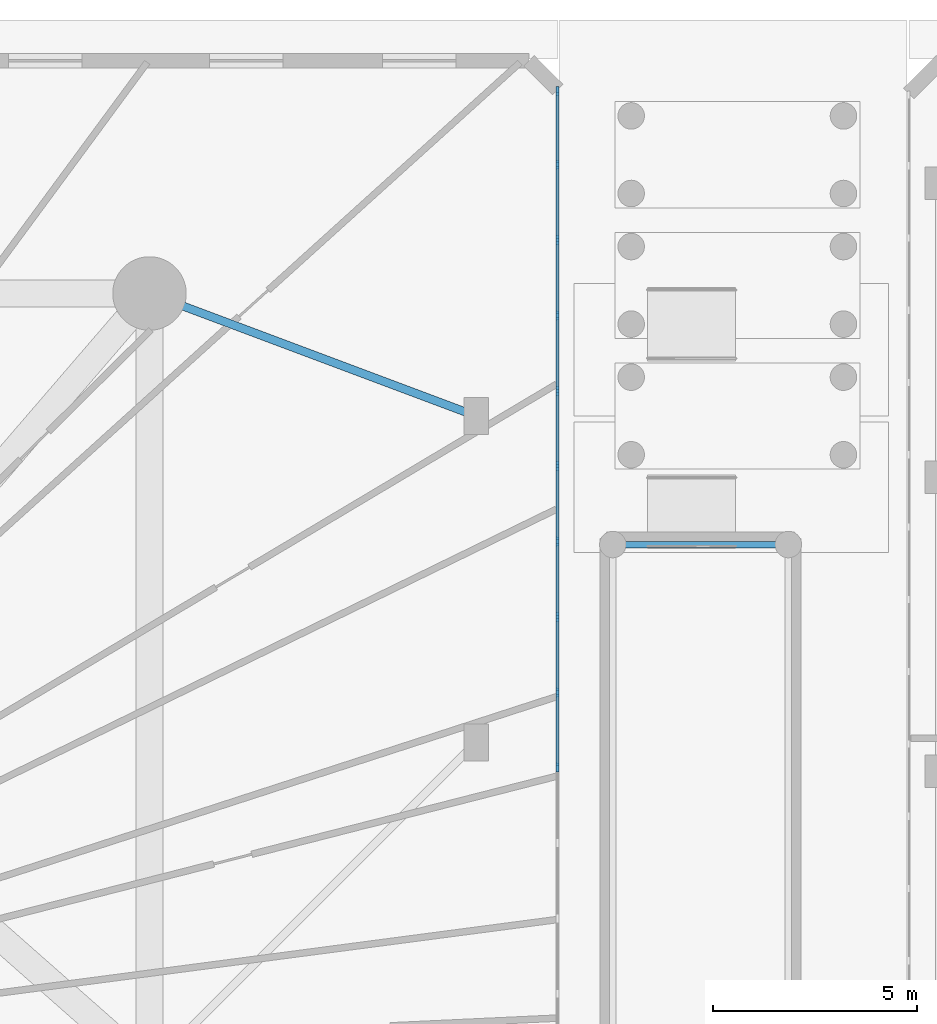
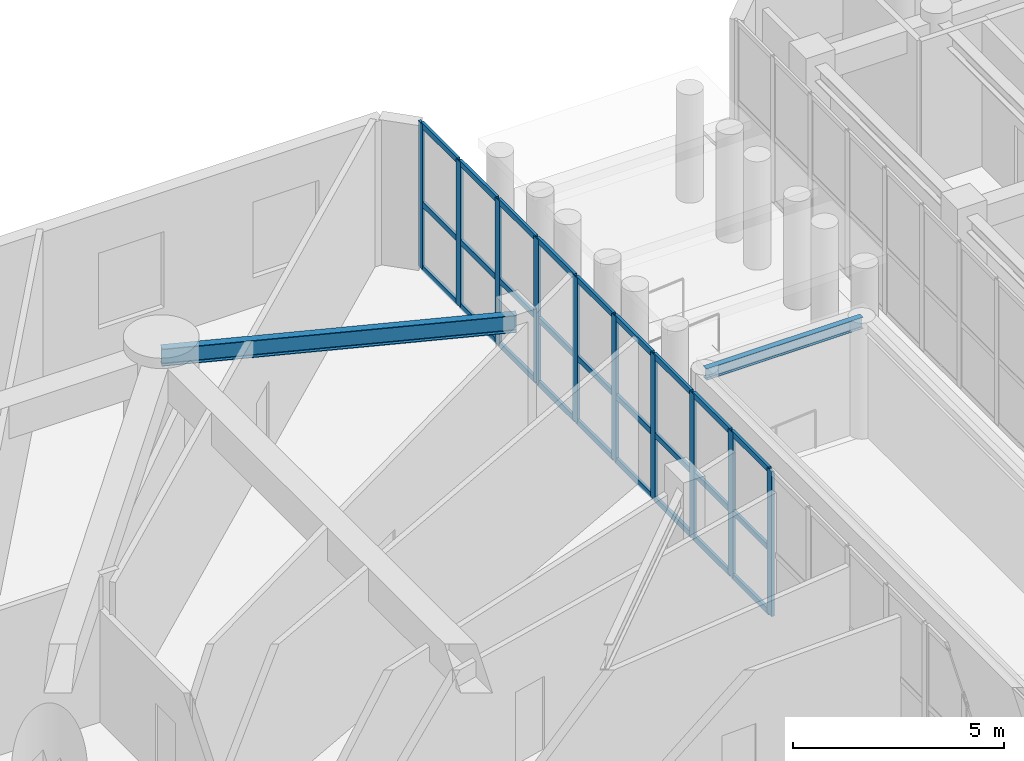
# One storey, part 5 of 30: 37 members, 2 beams, 1 element without a shape of its own.
"""IFC4 building model written with IfcOpenShell, lengths in metres."""

import ifcopenshell
import ifcopenshell.guid

model = None  # the IFC model being written
_history = None  # IfcOwnerHistory: only IFC2X3 demands one
_inside = {}  # id of a spatial element -> (the spatial element, [elements in it])
_under = {}  # id of a project, library or spatial element -> (it, [spatial elements below it])
_declared = {}  # id of a project -> (the project, [libraries it declares])
_typed = {}  # id of a type object -> (the type object, [elements of that type])
_made_of = {}  # id of a material, layer set ... -> (it, [elements and type objects made of it])


def new_model(schema):
    """Start an empty IFC model of exactly this schema.

    Asked for "IFC4X3", IfcOpenShell would pick the latest addendum, in which some entities
    have other attributes; the version numbers below select the first issue.
    IFC2X3 requires an IfcOwnerHistory on every rooted entity: one is made here for all.
    """
    global model, _history
    if schema == "IFC4X3":
        model = ifcopenshell.file(schema_version=(4, 3, 0, 0))
    else:
        model = ifcopenshell.file(schema=schema)
    _inside.clear()
    _under.clear()
    _declared.clear()
    _typed.clear()
    _made_of.clear()
    _history = None
    if model.schema == "IFC2X3":
        org = make("IfcOrganization", Name="unknown")
        user = make(
            "IfcPersonAndOrganization",
            ThePerson=make("IfcPerson", FamilyName="unknown"),
            TheOrganization=org,
        )
        app = make(
            "IfcApplication",
            ApplicationDeveloper=org,
            Version="unknown",
            ApplicationFullName="unknown",
            ApplicationIdentifier="unknown",
        )
        _history = make(
            "IfcOwnerHistory",
            OwningUser=user,
            OwningApplication=app,
            ChangeAction="ADDED",
            CreationDate=0,
        )
    return model


def make(cls, **values):
    """One entity of the class cls with the attributes given. An attribute that is None is left unset."""
    return model.create_entity(
        cls, **{name: value for name, value in values.items() if value is not None}
    )


def rooted(cls, **values):
    """An entity with a GlobalId (a new one), such as an element, a storey or a relation."""
    return make(cls, GlobalId=ifcopenshell.guid.new(), OwnerHistory=_history, **values)


def si_unit(unit_type, name, prefix=None):
    """IfcSIUnit, for example si_unit("LENGTHUNIT", "METRE", prefix="MILLI")."""
    return make("IfcSIUnit", UnitType=unit_type, Prefix=prefix, Name=name)


def assignment(units):
    """IfcUnitAssignment: the units of a project."""
    return None if units is None else make("IfcUnitAssignment", Units=units)


def point(xyz):
    """IfcCartesianPoint."""
    return None if xyz is None else make("IfcCartesianPoint", Coordinates=xyz)


def direction(xyz):
    """IfcDirection."""
    return None if xyz is None else make("IfcDirection", DirectionRatios=xyz)


def frame(location, z_axis=None, x_axis=None):
    """IfcAxis2Placement3D, a coordinate frame: its origin and axes. An axis left out is left unset."""
    return make(
        "IfcAxis2Placement3D",
        Location=point(location),
        Axis=direction(z_axis),
        RefDirection=direction(x_axis),
    )


def frame_2d(location, x_axis=None):
    """IfcAxis2Placement2D, a coordinate frame in the plane: its origin and x axis."""
    return make(
        "IfcAxis2Placement2D", Location=point(location), RefDirection=direction(x_axis)
    )


def origin():
    """The frame at (0, 0, 0) with its axes left unset."""
    return frame((0.0, 0.0, 0.0))


def origin_with_axes():
    """The frame at (0, 0, 0) with the z axis (0, 0, 1) and the x axis (1, 0, 0) written out."""
    return frame((0.0, 0.0, 0.0), z_axis=(0.0, 0.0, 1.0), x_axis=(1.0, 0.0, 0.0))


def origin_2d():
    """The frame at (0, 0) in the plane with its x axis left unset."""
    return frame_2d((0.0, 0.0))


def place(relative_to, where):
    """IfcLocalPlacement: puts the frame where relative to a parent placement (None: the world)."""
    return make(
        "IfcLocalPlacement", PlacementRelTo=relative_to, RelativePlacement=where
    )


def context(
    kind, dimensions, precision=None, world=None, true_north=None, identifier=None
):
    """IfcGeometricRepresentationContext, for example the 3D "Model" context."""
    return make(
        "IfcGeometricRepresentationContext",
        ContextIdentifier=identifier,
        ContextType=kind,
        CoordinateSpaceDimension=dimensions,
        Precision=precision,
        WorldCoordinateSystem=world,
        TrueNorth=true_north,
    )


def subcontext(parent, identifier, kind, view, scale=None):
    """IfcGeometricRepresentationSubContext, for example "Body" below "Model"."""
    return make(
        "IfcGeometricRepresentationSubContext",
        ContextIdentifier=identifier,
        ContextType=kind,
        ParentContext=parent,
        TargetScale=scale,
        TargetView=view,
    )


def project(units=None, contexts=None):
    """IfcProject with its units and contexts."""
    return rooted(
        "IfcProject",
        Name="project",
        RepresentationContexts=contexts,
        UnitsInContext=assignment(units),
    )


def spatial(cls, under=None, at=None, **own):
    """A site, building, storey or space (cls), placed at a placement, below another one or the project."""
    s = rooted(cls, ObjectPlacement=at, **own)
    if under is not None:
        _under.setdefault(under.id(), (under, []))[1].append(s)
    return s


def profile(cls, at=None, kind="AREA", **sizes):
    """A parametric profile (cls). Its sizes go by their IFC names, for example OverallWidth=200.0."""
    return make(cls, ProfileType=kind, Position=at, **sizes)


def rectangle(**sizes):
    """IfcRectangleProfileDef."""
    return profile("IfcRectangleProfileDef", **sizes)


def i_section(**sizes):
    """IfcIShapeProfileDef."""
    return profile("IfcIShapeProfileDef", **sizes)


def extrude(swept, where, along, depth):
    """IfcExtrudedAreaSolid: the profile swept, set in the frame where, extruded along a direction by depth."""
    return make(
        "IfcExtrudedAreaSolid",
        SweptArea=swept,
        Position=where,
        ExtrudedDirection=direction(along),
        Depth=depth,
    )


def shape(context_of_items, identifier, shape_type, items):
    """IfcShapeRepresentation: the items that make up one representation, for example the "Body"."""
    return make(
        "IfcShapeRepresentation",
        ContextOfItems=context_of_items,
        RepresentationIdentifier=identifier,
        RepresentationType=shape_type,
        Items=items,
    )


def source(mapping_origin, context_of_items, identifier, shape_type, items):
    """IfcRepresentationMap: a shape defined once, which mapped items show again and again."""
    return make(
        "IfcRepresentationMap",
        MappingOrigin=mapping_origin,
        MappedRepresentation=shape(context_of_items, identifier, shape_type, items),
    )


def transform(
    local_origin,
    x_axis=None,
    y_axis=None,
    z_axis=None,
    scale=None,
    scale2=None,
    scale3=None,
    uniform=True,
):
    """IfcCartesianTransformationOperator3D, or its non-uniform kind. x_axis, y_axis, z_axis: its Axis1, 2, 3."""
    if uniform:
        return make(
            "IfcCartesianTransformationOperator3D",
            Axis1=direction(x_axis),
            Axis2=direction(y_axis),
            LocalOrigin=point(local_origin),
            Scale=scale,
            Axis3=direction(z_axis),
        )
    return make(
        "IfcCartesianTransformationOperator3DnonUniform",
        Axis1=direction(x_axis),
        Axis2=direction(y_axis),
        LocalOrigin=point(local_origin),
        Scale=scale,
        Axis3=direction(z_axis),
        Scale2=scale2,
        Scale3=scale3,
    )


def mapped(mapping_source, mapping_target):
    """IfcMappedItem: shows the shape of a source again, moved by a transform."""
    return make(
        "IfcMappedItem", MappingSource=mapping_source, MappingTarget=mapping_target
    )


def material(Name=None, Category=None):
    """IfcMaterial."""
    return make("IfcMaterial", Name=Name, Category=Category)


def layer(
    of_material, thickness, ventilated=None, Name=None, Category=None, Priority=None
):
    """IfcMaterialLayer: one layer of a wall or slab, of a material (None: an air gap)."""
    return make(
        "IfcMaterialLayer",
        Material=of_material,
        LayerThickness=thickness,
        IsVentilated=ventilated,
        Name=Name,
        Category=Category,
        Priority=Priority,
    )


def layer_set(layers, Name=None):
    """IfcMaterialLayerSet."""
    return make("IfcMaterialLayerSet", MaterialLayers=layers, LayerSetName=Name)


def material_profile(
    of_material, cross_section, Name=None, Category=None, Priority=None
):
    """IfcMaterialProfile: a cross section and its material."""
    return make(
        "IfcMaterialProfile",
        Name=Name,
        Material=of_material,
        Profile=cross_section,
        Priority=Priority,
        Category=Category,
    )


def profile_set(profiles, Name=None, composite=None):
    """IfcMaterialProfileSet."""
    return make(
        "IfcMaterialProfileSet",
        Name=Name,
        MaterialProfiles=profiles,
        CompositeProfile=composite,
    )


def made_of(thing, what):
    """Note that an element or type object is made of a material, layer set ...; save() writes the relation."""
    if what is not None:
        _made_of.setdefault(what.id(), (what, []))[1].append(thing)
    return thing


def type_object(cls, material=None, **own):
    """A type object (cls), such as IfcWallType, which elements share."""
    return made_of(rooted(cls, **own), material)


def element(
    cls,
    number,
    at=None,
    inside=None,
    cuts=None,
    type_object=None,
    material=None,
    context=None,
    identifier="Body",
    shape_type=None,
    held_by="IfcProductDefinitionShape",
    body=None,
    shapes=None,
    **own,
):
    """One element of the class cls, such as IfcWall. Its Tag is "e" and its number.

    at: its placement. inside: the storey or other place that contains it. cuts: it is an
    opening in that element (IfcRelVoidsElement). A single representation is given by context,
    identifier, shape_type and body (its items); several are given by shapes. held_by: the class
    of the entity that holds the representations. save() writes the other relations.
    """
    e = rooted(cls, Tag="e%d" % number, ObjectPlacement=at, **own)
    if body is not None:
        shapes = [shape(context, identifier, shape_type, body)]
    if shapes is not None:
        e.Representation = make(held_by, Representations=shapes)
    if inside is not None:
        _inside.setdefault(inside.id(), (inside, []))[1].append(e)
    if cuts is not None:
        rooted(
            "IfcRelVoidsElement", RelatingBuildingElement=cuts, RelatedOpeningElement=e
        )
    if type_object is not None:
        _typed.setdefault(type_object.id(), (type_object, []))[1].append(e)
    return made_of(e, material)


def aggregate(whole, parts):
    """IfcRelAggregates: a whole, such as a stair, and the parts it consists of."""
    return rooted("IfcRelAggregates", RelatingObject=whole, RelatedObjects=parts)


def save(model, path):
    """Write the relations noted so far, then the file.

    IfcRelAggregates (storeys below a building ...), IfcRelContainedInSpatialStructure (elements
    in a storey), IfcRelDefinesByType, IfcRelAssociatesMaterial and IfcRelDeclares: one each for
    every whole, place, type object, material and project.
    """
    for whole, parts in _under.values():
        aggregate(whole, parts)
    for where, things in _inside.values():
        rooted(
            "IfcRelContainedInSpatialStructure",
            RelatedElements=things,
            RelatingStructure=where,
        )
    for kind, things in _typed.values():
        rooted("IfcRelDefinesByType", RelatedObjects=things, RelatingType=kind)
    for what, things in _made_of.values():
        rooted("IfcRelAssociatesMaterial", RelatedObjects=things, RelatingMaterial=what)
    for by, libraries in _declared.values():
        rooted("IfcRelDeclares", RelatingContext=by, RelatedDefinitions=libraries)
    model.write(path)


model = new_model("IFC4")

# Units and contexts
model_context = context("Model", 3, precision=1e-05, world=origin(), true_north=direction((0.0, 1.0)))
body_context = subcontext(model_context, "Body", "Model", "MODEL_VIEW")
ifc_project = project(units=[si_unit("LENGTHUNIT", "METRE"), si_unit("AREAUNIT", "SQUARE_METRE"), si_unit("VOLUMEUNIT", "CUBIC_METRE"), si_unit("PLANEANGLEUNIT", "RADIAN"), si_unit("MASSUNIT", "GRAM", prefix="KILO")], contexts=[model_context])

# Site, building, storey
site_placement = place(None, origin())
site = spatial("IfcSite", under=ifc_project, at=site_placement, CompositionType="ELEMENT")
building_placement = place(site_placement, origin())
building = spatial("IfcBuilding", under=site, at=building_placement, Name="Karkom Vertical University and Central Library", CompositionType="ELEMENT")
storey_placement = place(building_placement, origin())
storey = spatial("IfcBuildingStorey", under=building, at=storey_placement, Name="L00", CompositionType="ELEMENT", Elevation=0.0)

# Beams
ifc_material_1 = material(Name="Steel S355", Category="steel")
ifc_material_profile_1 = material_profile(ifc_material_1, i_section(OverallWidth=0.159912109375, OverallDepth=0.330078125, WebThickness=0.007568359375, FlangeThickness=0.011474609375, FilletRadius=0.01806640625, at=origin_2d()), Name="IPE 330")
ifc_profile_set_1 = profile_set([ifc_material_profile_1], Name="Steel S355")
beam_type_1 = type_object("IfcBeamType", Name="STR-BM-SB-IPE330", PredefinedType="BEAM", material=ifc_profile_set_1)
shared_shape_1 = source(origin_with_axes(), body_context, "Body", "SweptSolid", [
    extrude(i_section(OverallWidth=0.159912109375, OverallDepth=0.330078125, WebThickness=0.007568359375, FlangeThickness=0.011474609375, FilletRadius=0.01806640625, at=origin_2d()), origin(), (0.0, 0.0, 1.0), 4.300048828125),
])
beam_1_placement = place(storey_placement, frame((62.449951171875, 39.35009765625, 3.195068359375), z_axis=(-1.0, 0.0, 0.0), x_axis=(0.0, -1.0, 0.0)))
element("IfcBeam", 1, at=beam_1_placement, inside=storey, type_object=beam_type_1, Name="Level 00 Ramp Pavilion Roof Beam 3", PredefinedType="BEAM", context=body_context, shape_type="MappedRepresentation", body=[
    mapped(shared_shape_1, transform((0.0, 0.0, 0.0), scale=1.0)),
])
ifc_material_profile_2 = material_profile(ifc_material_1, i_section(OverallWidth=0.199951171875, OverallDepth=0.5, WebThickness=0.01025390625, FlangeThickness=0.01611328125, FilletRadius=0.02099609375, at=origin_2d()), Name="IPE 500")
ifc_profile_set_2 = profile_set([ifc_material_profile_2], Name="Steel S355")
beam_type_2 = type_object("IfcBeamType", Name="STR-BM-SB-IPE500", PredefinedType="BEAM", material=ifc_profile_set_2)
shared_shape_2 = source(origin_with_axes(), body_context, "Body", "SweptSolid", [
    extrude(i_section(OverallWidth=0.199951171875, OverallDepth=0.5, WebThickness=0.01025390625, FlangeThickness=0.01611328125, FilletRadius=0.02099609375, at=origin_2d()), origin(), (0.0, 0.0, 1.0), 8.5439453125),
])
beam_2_placement = place(storey_placement, frame((46.800048828125, 45.5, 3.949951171875), z_axis=(0.936329177569, -0.351123441588, 0.0), x_axis=(0.351123441588, 0.936329177569, 0.0)))
element("IfcBeam", 2, at=beam_2_placement, inside=storey, type_object=beam_type_2, Name="Level 00 Arcade Tie Beam 4", PredefinedType="BEAM", context=body_context, shape_type="MappedRepresentation", body=[
    mapped(shared_shape_2, transform((0.0, 0.0, 0.0), scale=1.0)),
])

# Curtain wall, members
ifc_material_2 = material(Name="Aluminium curtain-wall framing and low-E IGU", Category="aluminium")
ifc_layer = layer(ifc_material_2, 0.199951171875)
ifc_layer_set = layer_set([ifc_layer], Name="Aluminium curtain-wall framing and low-E IGU")
curtain_wall_type = type_object("IfcCurtainWallType", Name="ENV-CW-3", PredefinedType="USERDEFINED", material=ifc_layer_set)
curtain_wall_placement = place(storey_placement, origin())
curtain_wall = element("IfcCurtainWall", 3, at=curtain_wall_placement, inside=storey, type_object=curtain_wall_type, Name="Level 00 CW-3 Curtain Wall L00-CW3-3-2", ObjectType="STICK MULLION GLAZING", PredefinedType="USERDEFINED")
ifc_material_3 = material(Name="Anodised Aluminium 6063-T6", Category="aluminium")
ifc_material_profile_3 = material_profile(ifc_material_3, rectangle(XDim=0.074951171875, YDim=0.219970703125, at=origin_2d()), Name="ALU-M75x220")
ifc_profile_set_3 = profile_set([ifc_material_profile_3], Name="Anodised Aluminium 6063-T6")
member_type_1 = type_object("IfcMemberType", Name="ENV-MEM-ALU-M75x220", PredefinedType="MULLION", material=ifc_profile_set_3)
shared_shape_3 = source(origin_with_axes(), body_context, "Body", "SweptSolid", [
    extrude(rectangle(XDim=0.074951171875, YDim=0.219970703125, at=origin_2d()), origin(), (0.0, 0.0, 1.0), 4.199951171875),
])
member_1_placement = place(storey_placement, frame((56.800048828125, 33.884521484375, 0.0), z_axis=(0.0, 0.0, 1.0), x_axis=(-1.0, 0.0, 0.0)))
member_1 = element("IfcMember", 4, at=member_1_placement, type_object=member_type_1, Name="CW-3 mullion 5", PredefinedType="MULLION", context=body_context, shape_type="MappedRepresentation", body=[
    mapped(shared_shape_3, transform((0.0, 0.0, 0.0), scale=1.0)),
])
member_2_placement = place(storey_placement, frame((56.800048828125, 35.730712890625, 0.0), z_axis=(0.0, 0.0, 1.0), x_axis=(-1.0, 0.0, 0.0)))
member_2 = element("IfcMember", 5, at=member_2_placement, type_object=member_type_1, Name="CW-3 mullion 6", PredefinedType="MULLION", context=body_context, shape_type="MappedRepresentation", body=[
    mapped(shared_shape_3, transform((0.0, 0.0, 0.0), scale=1.0)),
])
member_3_placement = place(storey_placement, frame((56.800048828125, 37.576904296875, 0.0), z_axis=(0.0, 0.0, 1.0), x_axis=(-1.0, 0.0, 0.0)))
member_3 = element("IfcMember", 6, at=member_3_placement, type_object=member_type_1, Name="CW-3 mullion 7", PredefinedType="MULLION", context=body_context, shape_type="MappedRepresentation", body=[
    mapped(shared_shape_3, transform((0.0, 0.0, 0.0), scale=1.0)),
])
member_4_placement = place(storey_placement, frame((56.800048828125, 39.423095703125, 0.0), z_axis=(0.0, 0.0, 1.0), x_axis=(-1.0, 0.0, 0.0)))
member_4 = element("IfcMember", 7, at=member_4_placement, type_object=member_type_1, Name="CW-3 mullion 8", PredefinedType="MULLION", context=body_context, shape_type="MappedRepresentation", body=[
    mapped(shared_shape_3, transform((0.0, 0.0, 0.0), scale=1.0)),
])
member_5_placement = place(storey_placement, frame((56.800048828125, 41.269287109375, 0.0), z_axis=(0.0, 0.0, 1.0), x_axis=(-1.0, 0.0, 0.0)))
member_5 = element("IfcMember", 8, at=member_5_placement, type_object=member_type_1, Name="CW-3 mullion 9", PredefinedType="MULLION", context=body_context, shape_type="MappedRepresentation", body=[
    mapped(shared_shape_3, transform((0.0, 0.0, 0.0), scale=1.0)),
])
member_6_placement = place(storey_placement, frame((56.800048828125, 43.115478515625, 0.0), z_axis=(0.0, 0.0, 1.0), x_axis=(-1.0, 0.0, 0.0)))
member_6 = element("IfcMember", 9, at=member_6_placement, type_object=member_type_1, Name="CW-3 mullion 10", PredefinedType="MULLION", context=body_context, shape_type="MappedRepresentation", body=[
    mapped(shared_shape_3, transform((0.0, 0.0, 0.0), scale=1.0)),
])
member_7_placement = place(storey_placement, frame((56.800048828125, 44.96142578125, 0.0), z_axis=(0.0, 0.0, 1.0), x_axis=(-1.0, 0.0, 0.0)))
member_7 = element("IfcMember", 10, at=member_7_placement, type_object=member_type_1, Name="CW-3 mullion 11", PredefinedType="MULLION", context=body_context, shape_type="MappedRepresentation", body=[
    mapped(shared_shape_3, transform((0.0, 0.0, 0.0), scale=1.0)),
])
member_8_placement = place(storey_placement, frame((56.800048828125, 46.8076171875, 0.0), z_axis=(0.0, 0.0, 1.0), x_axis=(-1.0, 0.0, 0.0)))
member_8 = element("IfcMember", 11, at=member_8_placement, type_object=member_type_1, Name="CW-3 mullion 12", PredefinedType="MULLION", context=body_context, shape_type="MappedRepresentation", body=[
    mapped(shared_shape_3, transform((0.0, 0.0, 0.0), scale=1.0)),
])
member_9_placement = place(storey_placement, frame((56.800048828125, 48.65380859375, 0.0), z_axis=(0.0, 0.0, 1.0), x_axis=(-1.0, 0.0, 0.0)))
member_9 = element("IfcMember", 12, at=member_9_placement, type_object=member_type_1, Name="CW-3 mullion 13", PredefinedType="MULLION", context=body_context, shape_type="MappedRepresentation", body=[
    mapped(shared_shape_3, transform((0.0, 0.0, 0.0), scale=1.0)),
])
member_10_placement = place(storey_placement, frame((56.800048828125, 50.46240234375, 0.0), z_axis=(0.0, 0.0, 1.0), x_axis=(-1.0, 0.0, 0.0)))
member_10 = element("IfcMember", 13, at=member_10_placement, type_object=member_type_1, Name="CW-3 mullion 14", PredefinedType="MULLION", context=body_context, shape_type="MappedRepresentation", body=[
    mapped(shared_shape_3, transform((0.0, 0.0, 0.0), scale=1.0)),
])
ifc_material_profile_4 = material_profile(ifc_material_3, rectangle(XDim=0.074951171875, YDim=0.1650390625, at=origin_2d()), Name="ALU-T75x165")
ifc_profile_set_4 = profile_set([ifc_material_profile_4], Name="Anodised Aluminium 6063-T6")
member_type_2 = type_object("IfcMemberType", Name="ENV-MEM-ALU-T75x165", PredefinedType="USERDEFINED", material=ifc_profile_set_4)
shared_shape_4 = source(origin_with_axes(), body_context, "Body", "SweptSolid", [
    extrude(rectangle(XDim=0.074951171875, YDim=0.1650390625, at=origin_2d()), origin(), (0.0, 0.0, 1.0), 1.733642578125),
])
member_11_placement = place(storey_placement, frame((56.800048828125, 48.69140625, 0.03759765625), z_axis=(0.0, 1.0, 0.0), x_axis=(-1.0, 0.0, 0.0)))
member_11 = element("IfcMember", 14, at=member_11_placement, type_object=member_type_2, Name="CW-3 transom 13.1", ObjectType="TRANSOM", PredefinedType="USERDEFINED", context=body_context, shape_type="MappedRepresentation", body=[
    mapped(shared_shape_4, transform((0.0, 0.0, 0.0), scale=1.0)),
])
member_12_placement = place(storey_placement, frame((56.800048828125, 48.69140625, 1.889892578125), z_axis=(0.0, 1.0, 0.0), x_axis=(-1.0, 0.0, 0.0)))
member_12 = element("IfcMember", 15, at=member_12_placement, type_object=member_type_2, Name="CW-3 transom 13.2", ObjectType="TRANSOM", PredefinedType="USERDEFINED", context=body_context, shape_type="MappedRepresentation", body=[
    mapped(shared_shape_4, transform((0.0, 0.0, 0.0), scale=1.0)),
])
member_13_placement = place(storey_placement, frame((56.800048828125, 48.69140625, 4.16259765625), z_axis=(0.0, 1.0, 0.0), x_axis=(-1.0, 0.0, 0.0)))
member_13 = element("IfcMember", 16, at=member_13_placement, type_object=member_type_2, Name="CW-3 transom 13.3", ObjectType="TRANSOM", PredefinedType="USERDEFINED", context=body_context, shape_type="MappedRepresentation", body=[
    mapped(shared_shape_4, transform((0.0, 0.0, 0.0), scale=1.0)),
])
shared_shape_5 = source(origin_with_axes(), body_context, "Body", "SweptSolid", [
    extrude(rectangle(XDim=0.074951171875, YDim=0.1650390625, at=origin_2d()), origin(), (0.0, 0.0, 1.0), 1.771240234375),
])
member_14_placement = place(storey_placement, frame((56.800048828125, 33.922119140625, 0.03759765625), z_axis=(0.0, 1.0, 0.0), x_axis=(-1.0, 0.0, 0.0)))
member_14 = element("IfcMember", 17, at=member_14_placement, type_object=member_type_2, Name="CW-3 transom 5.1", ObjectType="TRANSOM", PredefinedType="USERDEFINED", context=body_context, shape_type="MappedRepresentation", body=[
    mapped(shared_shape_5, transform((0.0, 0.0, 0.0), scale=1.0)),
])
member_15_placement = place(storey_placement, frame((56.800048828125, 33.922119140625, 1.889892578125), z_axis=(0.0, 1.0, 0.0), x_axis=(-1.0, 0.0, 0.0)))
member_15 = element("IfcMember", 18, at=member_15_placement, type_object=member_type_2, Name="CW-3 transom 5.2", ObjectType="TRANSOM", PredefinedType="USERDEFINED", context=body_context, shape_type="MappedRepresentation", body=[
    mapped(shared_shape_5, transform((0.0, 0.0, 0.0), scale=1.0)),
])
member_16_placement = place(storey_placement, frame((56.800048828125, 33.922119140625, 4.16259765625), z_axis=(0.0, 1.0, 0.0), x_axis=(-1.0, 0.0, 0.0)))
member_16 = element("IfcMember", 19, at=member_16_placement, type_object=member_type_2, Name="CW-3 transom 5.3", ObjectType="TRANSOM", PredefinedType="USERDEFINED", context=body_context, shape_type="MappedRepresentation", body=[
    mapped(shared_shape_5, transform((0.0, 0.0, 0.0), scale=1.0)),
])
member_17_placement = place(storey_placement, frame((56.800048828125, 41.306640625, 0.03759765625), z_axis=(0.0, 1.0, 0.0), x_axis=(-1.0, 0.0, 0.0)))
member_17 = element("IfcMember", 20, at=member_17_placement, type_object=member_type_2, Name="CW-3 transom 9.1", ObjectType="TRANSOM", PredefinedType="USERDEFINED", context=body_context, shape_type="MappedRepresentation", body=[
    mapped(shared_shape_5, transform((0.0, 0.0, 0.0), scale=1.0)),
])
member_18_placement = place(storey_placement, frame((56.800048828125, 41.306640625, 1.889892578125), z_axis=(0.0, 1.0, 0.0), x_axis=(-1.0, 0.0, 0.0)))
member_18 = element("IfcMember", 21, at=member_18_placement, type_object=member_type_2, Name="CW-3 transom 9.2", ObjectType="TRANSOM", PredefinedType="USERDEFINED", context=body_context, shape_type="MappedRepresentation", body=[
    mapped(shared_shape_5, transform((0.0, 0.0, 0.0), scale=1.0)),
])
member_19_placement = place(storey_placement, frame((56.800048828125, 41.306640625, 4.16259765625), z_axis=(0.0, 1.0, 0.0), x_axis=(-1.0, 0.0, 0.0)))
member_19 = element("IfcMember", 22, at=member_19_placement, type_object=member_type_2, Name="CW-3 transom 9.3", ObjectType="TRANSOM", PredefinedType="USERDEFINED", context=body_context, shape_type="MappedRepresentation", body=[
    mapped(shared_shape_5, transform((0.0, 0.0, 0.0), scale=1.0)),
])
member_20_placement = place(storey_placement, frame((56.800048828125, 43.15283203125, 0.03759765625), z_axis=(0.0, 1.0, 0.0), x_axis=(-1.0, 0.0, 0.0)))
member_20 = element("IfcMember", 23, at=member_20_placement, type_object=member_type_2, Name="CW-3 transom 10.1", ObjectType="TRANSOM", PredefinedType="USERDEFINED", context=body_context, shape_type="MappedRepresentation", body=[
    mapped(shared_shape_5, transform((0.0, 0.0, 0.0), scale=1.0)),
])
member_21_placement = place(storey_placement, frame((56.800048828125, 43.15283203125, 1.889892578125), z_axis=(0.0, 1.0, 0.0), x_axis=(-1.0, 0.0, 0.0)))
member_21 = element("IfcMember", 24, at=member_21_placement, type_object=member_type_2, Name="CW-3 transom 10.2", ObjectType="TRANSOM", PredefinedType="USERDEFINED", context=body_context, shape_type="MappedRepresentation", body=[
    mapped(shared_shape_5, transform((0.0, 0.0, 0.0), scale=1.0)),
])
member_22_placement = place(storey_placement, frame((56.800048828125, 43.15283203125, 4.16259765625), z_axis=(0.0, 1.0, 0.0), x_axis=(-1.0, 0.0, 0.0)))
member_22 = element("IfcMember", 25, at=member_22_placement, type_object=member_type_2, Name="CW-3 transom 10.3", ObjectType="TRANSOM", PredefinedType="USERDEFINED", context=body_context, shape_type="MappedRepresentation", body=[
    mapped(shared_shape_5, transform((0.0, 0.0, 0.0), scale=1.0)),
])
member_23_placement = place(storey_placement, frame((56.800048828125, 44.9990234375, 0.03759765625), z_axis=(0.0, 1.0, 0.0), x_axis=(-1.0, 0.0, 0.0)))
member_23 = element("IfcMember", 26, at=member_23_placement, type_object=member_type_2, Name="CW-3 transom 11.1", ObjectType="TRANSOM", PredefinedType="USERDEFINED", context=body_context, shape_type="MappedRepresentation", body=[
    mapped(shared_shape_5, transform((0.0, 0.0, 0.0), scale=1.0)),
])
member_24_placement = place(storey_placement, frame((56.800048828125, 44.9990234375, 1.889892578125), z_axis=(0.0, 1.0, 0.0), x_axis=(-1.0, 0.0, 0.0)))
member_24 = element("IfcMember", 27, at=member_24_placement, type_object=member_type_2, Name="CW-3 transom 11.2", ObjectType="TRANSOM", PredefinedType="USERDEFINED", context=body_context, shape_type="MappedRepresentation", body=[
    mapped(shared_shape_5, transform((0.0, 0.0, 0.0), scale=1.0)),
])
member_25_placement = place(storey_placement, frame((56.800048828125, 44.9990234375, 4.16259765625), z_axis=(0.0, 1.0, 0.0), x_axis=(-1.0, 0.0, 0.0)))
member_25 = element("IfcMember", 28, at=member_25_placement, type_object=member_type_2, Name="CW-3 transom 11.3", ObjectType="TRANSOM", PredefinedType="USERDEFINED", context=body_context, shape_type="MappedRepresentation", body=[
    mapped(shared_shape_5, transform((0.0, 0.0, 0.0), scale=1.0)),
])
member_26_placement = place(storey_placement, frame((56.800048828125, 46.84521484375, 0.03759765625), z_axis=(0.0, 1.0, 0.0), x_axis=(-1.0, 0.0, 0.0)))
member_26 = element("IfcMember", 29, at=member_26_placement, type_object=member_type_2, Name="CW-3 transom 12.1", ObjectType="TRANSOM", PredefinedType="USERDEFINED", context=body_context, shape_type="MappedRepresentation", body=[
    mapped(shared_shape_5, transform((0.0, 0.0, 0.0), scale=1.0)),
])
member_27_placement = place(storey_placement, frame((56.800048828125, 46.84521484375, 1.889892578125), z_axis=(0.0, 1.0, 0.0), x_axis=(-1.0, 0.0, 0.0)))
member_27 = element("IfcMember", 30, at=member_27_placement, type_object=member_type_2, Name="CW-3 transom 12.2", ObjectType="TRANSOM", PredefinedType="USERDEFINED", context=body_context, shape_type="MappedRepresentation", body=[
    mapped(shared_shape_5, transform((0.0, 0.0, 0.0), scale=1.0)),
])
member_28_placement = place(storey_placement, frame((56.800048828125, 46.84521484375, 4.16259765625), z_axis=(0.0, 1.0, 0.0), x_axis=(-1.0, 0.0, 0.0)))
member_28 = element("IfcMember", 31, at=member_28_placement, type_object=member_type_2, Name="CW-3 transom 12.3", ObjectType="TRANSOM", PredefinedType="USERDEFINED", context=body_context, shape_type="MappedRepresentation", body=[
    mapped(shared_shape_5, transform((0.0, 0.0, 0.0), scale=1.0)),
])
shared_shape_6 = source(origin_with_axes(), body_context, "Body", "SweptSolid", [
    extrude(rectangle(XDim=0.074951171875, YDim=0.1650390625, at=origin_2d()), origin(), (0.0, 0.0, 1.0), 1.77099609375),
])
member_29_placement = place(storey_placement, frame((56.800048828125, 35.768310546875, 0.03759765625), z_axis=(0.0, 1.0, 0.0), x_axis=(-1.0, 0.0, 0.0)))
member_29 = element("IfcMember", 32, at=member_29_placement, type_object=member_type_2, Name="CW-3 transom 6.1", ObjectType="TRANSOM", PredefinedType="USERDEFINED", context=body_context, shape_type="MappedRepresentation", body=[
    mapped(shared_shape_6, transform((0.0, 0.0, 0.0), scale=1.0)),
])
member_30_placement = place(storey_placement, frame((56.800048828125, 35.768310546875, 1.889892578125), z_axis=(0.0, 1.0, 0.0), x_axis=(-1.0, 0.0, 0.0)))
member_30 = element("IfcMember", 33, at=member_30_placement, type_object=member_type_2, Name="CW-3 transom 6.2", ObjectType="TRANSOM", PredefinedType="USERDEFINED", context=body_context, shape_type="MappedRepresentation", body=[
    mapped(shared_shape_6, transform((0.0, 0.0, 0.0), scale=1.0)),
])
member_31_placement = place(storey_placement, frame((56.800048828125, 35.768310546875, 4.16259765625), z_axis=(0.0, 1.0, 0.0), x_axis=(-1.0, 0.0, 0.0)))
member_31 = element("IfcMember", 34, at=member_31_placement, type_object=member_type_2, Name="CW-3 transom 6.3", ObjectType="TRANSOM", PredefinedType="USERDEFINED", context=body_context, shape_type="MappedRepresentation", body=[
    mapped(shared_shape_6, transform((0.0, 0.0, 0.0), scale=1.0)),
])
member_32_placement = place(storey_placement, frame((56.800048828125, 37.614501953125, 0.03759765625), z_axis=(0.0, 1.0, 0.0), x_axis=(-1.0, 0.0, 0.0)))
member_32 = element("IfcMember", 35, at=member_32_placement, type_object=member_type_2, Name="CW-3 transom 7.1", ObjectType="TRANSOM", PredefinedType="USERDEFINED", context=body_context, shape_type="MappedRepresentation", body=[
    mapped(shared_shape_6, transform((0.0, 0.0, 0.0), scale=1.0)),
])
member_33_placement = place(storey_placement, frame((56.800048828125, 37.614501953125, 1.889892578125), z_axis=(0.0, 1.0, 0.0), x_axis=(-1.0, 0.0, 0.0)))
member_33 = element("IfcMember", 36, at=member_33_placement, type_object=member_type_2, Name="CW-3 transom 7.2", ObjectType="TRANSOM", PredefinedType="USERDEFINED", context=body_context, shape_type="MappedRepresentation", body=[
    mapped(shared_shape_6, transform((0.0, 0.0, 0.0), scale=1.0)),
])
member_34_placement = place(storey_placement, frame((56.800048828125, 37.614501953125, 4.16259765625), z_axis=(0.0, 1.0, 0.0), x_axis=(-1.0, 0.0, 0.0)))
member_34 = element("IfcMember", 37, at=member_34_placement, type_object=member_type_2, Name="CW-3 transom 7.3", ObjectType="TRANSOM", PredefinedType="USERDEFINED", context=body_context, shape_type="MappedRepresentation", body=[
    mapped(shared_shape_6, transform((0.0, 0.0, 0.0), scale=1.0)),
])
member_35_placement = place(storey_placement, frame((56.800048828125, 39.460693359375, 0.03759765625), z_axis=(0.0, 1.0, 0.0), x_axis=(-1.0, 0.0, 0.0)))
member_35 = element("IfcMember", 38, at=member_35_placement, type_object=member_type_2, Name="CW-3 transom 8.1", ObjectType="TRANSOM", PredefinedType="USERDEFINED", context=body_context, shape_type="MappedRepresentation", body=[
    mapped(shared_shape_6, transform((0.0, 0.0, 0.0), scale=1.0)),
])
member_36_placement = place(storey_placement, frame((56.800048828125, 39.460693359375, 1.889892578125), z_axis=(0.0, 1.0, 0.0), x_axis=(-1.0, 0.0, 0.0)))
member_36 = element("IfcMember", 39, at=member_36_placement, type_object=member_type_2, Name="CW-3 transom 8.2", ObjectType="TRANSOM", PredefinedType="USERDEFINED", context=body_context, shape_type="MappedRepresentation", body=[
    mapped(shared_shape_6, transform((0.0, 0.0, 0.0), scale=1.0)),
])
member_37_placement = place(storey_placement, frame((56.800048828125, 39.460693359375, 4.16259765625), z_axis=(0.0, 1.0, 0.0), x_axis=(-1.0, 0.0, 0.0)))
member_37 = element("IfcMember", 40, at=member_37_placement, type_object=member_type_2, Name="CW-3 transom 8.3", ObjectType="TRANSOM", PredefinedType="USERDEFINED", context=body_context, shape_type="MappedRepresentation", body=[
    mapped(shared_shape_6, transform((0.0, 0.0, 0.0), scale=1.0)),
])
aggregate(curtain_wall, [member_1, member_2, member_3, member_4, member_5, member_6, member_7, member_8, member_9, member_10, member_14, member_15, member_16, member_29, member_30, member_31, member_32, member_33, member_34, member_35, member_36, member_37, member_17, member_18, member_19, member_20, member_21, member_22, member_23, member_24, member_25, member_26, member_27, member_28, member_11, member_12, member_13])

save(model, "model.ifc")
